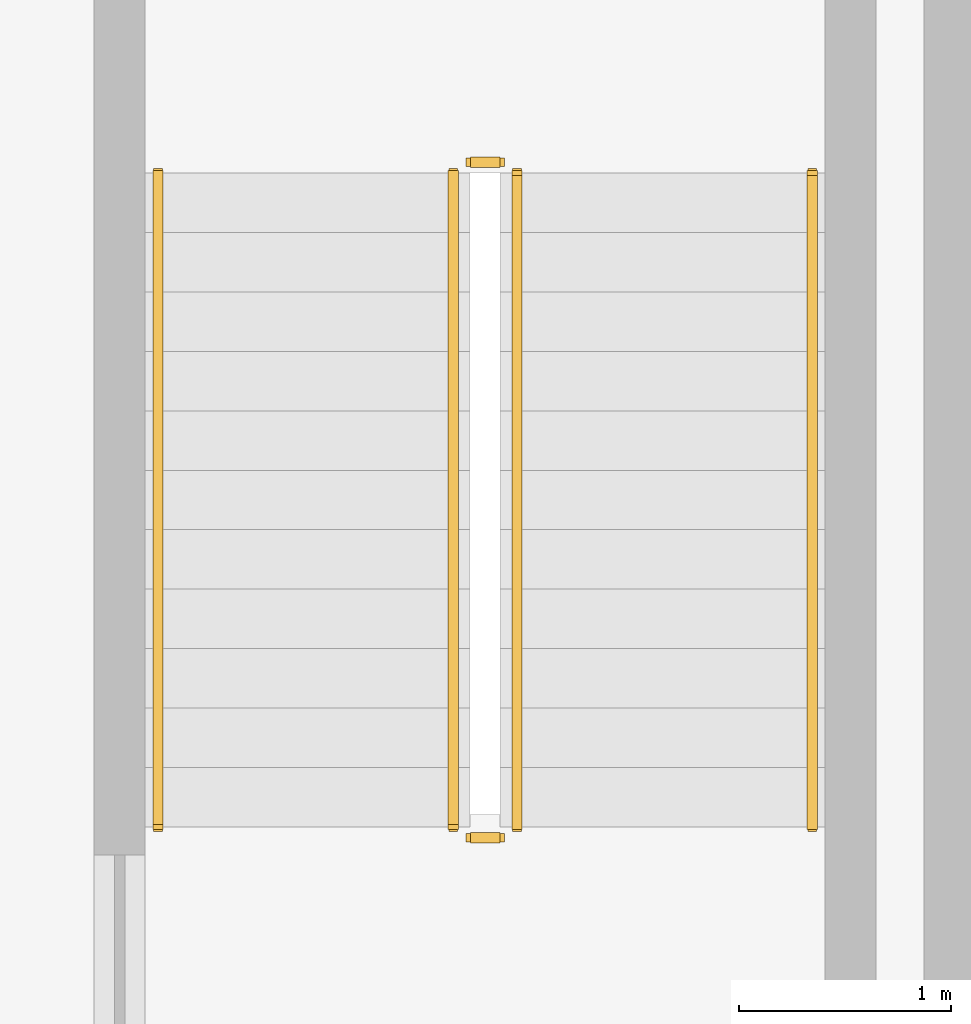
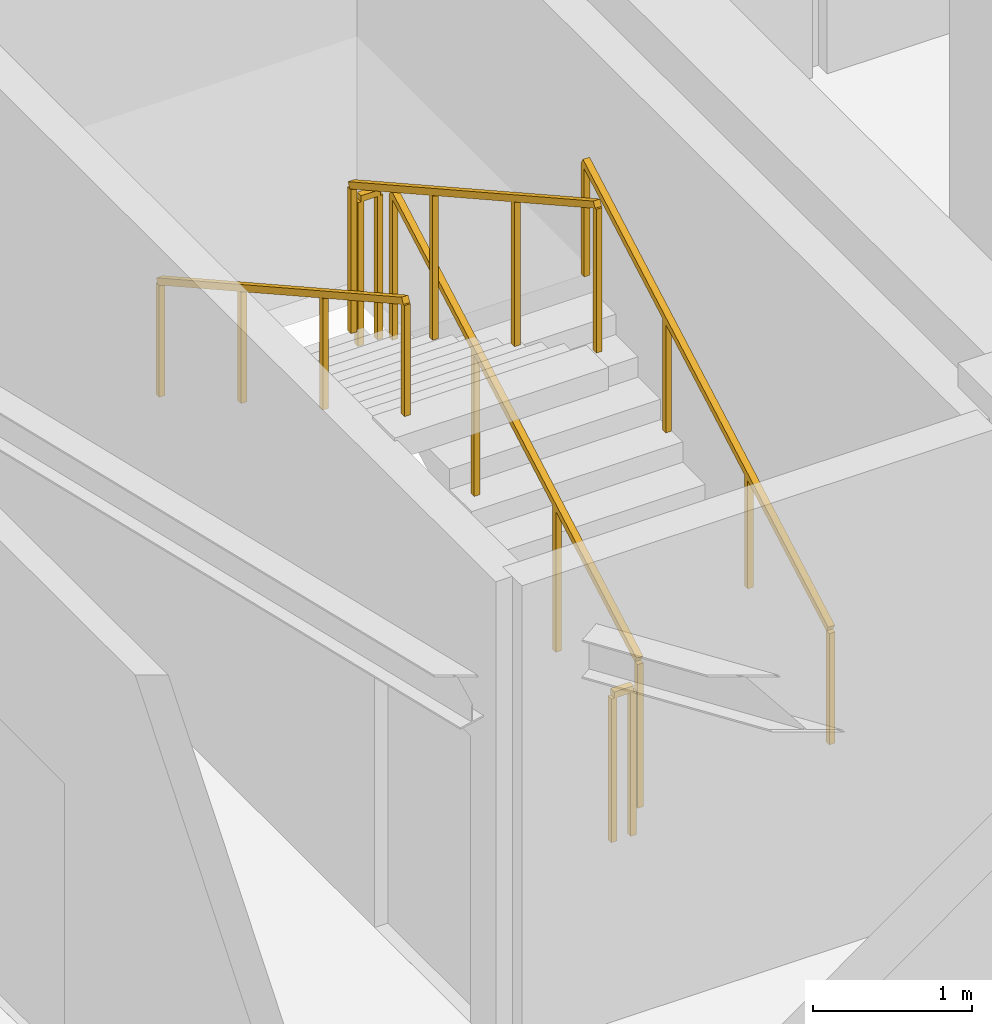
# One storey, part 8 of 10: 6 railings.
"""IFC4 building model written with IfcOpenShell, lengths in metres."""

from ifc_helpers import new_model, si_unit, direction, frame, origin, origin_2d, place, context, subcontext, project, spatial, rectangle, extrude, material, type_object, element, save


model = new_model("IFC4")

# Units and contexts
model_context = context("Model", 3, precision=1e-05, world=origin(), true_north=direction((0.0, 1.0)))
body_context = subcontext(model_context, "Body", "Model", "MODEL_VIEW")
ifc_project = project(units=[si_unit("LENGTHUNIT", "METRE"), si_unit("AREAUNIT", "SQUARE_METRE"), si_unit("VOLUMEUNIT", "CUBIC_METRE"), si_unit("PLANEANGLEUNIT", "RADIAN"), si_unit("MASSUNIT", "GRAM", prefix="KILO")], contexts=[model_context])

# Site, building, storey
site_placement = place(None, origin())
site = spatial("IfcSite", under=ifc_project, at=site_placement, CompositionType="ELEMENT")
building_placement = place(site_placement, origin())
building = spatial("IfcBuilding", under=site, at=building_placement, Name="Liaohun Quay Tower", CompositionType="ELEMENT")
storey_placement = place(building_placement, frame((0.0, 0.0, 286.5)))
storey = spatial("IfcBuildingStorey", under=building, at=storey_placement, Name="L74", CompositionType="ELEMENT", Elevation=286.5)

# Railings
ifc_material_1 = material(Name="Painted tubular steel", Category="steel")
railing_type_1 = type_object("IfcRailingType", Name="RLG-GUARD-STR", PredefinedType="GUARDRAIL", material=ifc_material_1)
railing_1_placement = place(storey_placement, frame((48.81005859375, 48.35009765625, 0.15625)))
element("IfcRailing", 1, at=railing_1_placement, inside=storey, type_object=railing_type_1, Name="L74 ST-1 stair guard 1", PredefinedType="GUARDRAIL", context=body_context, shape_type="SweptSolid", body=[
    extrude(rectangle(XDim=0.048095703125, YDim=0.048095703125, at=origin_2d()), frame((0.0, 0.0, 1.1259765625), z_axis=(0.0, 0.873225103656, 0.487317061414), x_axis=(-1.0, 0.0, 0.0)), (0.0, 0.0, 1.0), 3.52685546875),
    extrude(rectangle(XDim=0.0419921875, YDim=0.0419921875, at=origin_2d()), origin(), (0.0, 0.0, 1.0), 1.101806640625),
    extrude(rectangle(XDim=0.0419921875, YDim=0.0419921875, at=origin_2d()), frame((0.0, 1.026611328125, 0.572998046875)), (0.0, 0.0, 1.0), 1.101806640625),
    extrude(rectangle(XDim=0.0419921875, YDim=0.0419921875, at=origin_2d()), frame((0.0, 2.05322265625, 1.145751953125)), (0.0, 0.0, 1.0), 1.101806640625),
    extrude(rectangle(XDim=0.0419921875, YDim=0.0419921875, at=origin_2d()), frame((0.0, 3.079833984375, 1.71875)), (0.0, 0.0, 1.0), 1.101806640625),
])
railing_2_placement = place(storey_placement, frame((48.72998046875, 51.47998046875, 1.875)))
element("IfcRailing", 2, at=railing_2_placement, inside=storey, type_object=railing_type_1, Name="L74 ST-1 stair guard 2", PredefinedType="GUARDRAIL", context=body_context, shape_type="SweptSolid", body=[
    extrude(rectangle(XDim=0.048095703125, YDim=0.048095703125, at=origin_2d()), frame((0.0, 0.0, 1.1259765625), z_axis=(-1.0, 0.0, 0.0), x_axis=(0.0, -1.0, 0.0)), (0.0, 0.0, 1.0), 0.139892578125),
    extrude(rectangle(XDim=0.0419921875, YDim=0.0419921875, at=origin_2d()), origin(), (0.0, 0.0, 1.0), 1.101806640625),
    extrude(rectangle(XDim=0.0419921875, YDim=0.0419921875, at=origin_2d()), frame((-0.139892578125, 0.0, 0.0)), (0.0, 0.0, 1.0), 1.101806640625),
])
railing_3_placement = place(storey_placement, frame((48.510009765625, 51.429931640625, 2.03125)))
element("IfcRailing", 3, at=railing_3_placement, inside=storey, type_object=railing_type_1, Name="L74 ST-1 stair guard 3", PredefinedType="GUARDRAIL", context=body_context, shape_type="SweptSolid", body=[
    extrude(rectangle(XDim=0.048095703125, YDim=0.048095703125, at=origin_2d()), frame((0.0, 0.0, 1.1259765625), z_axis=(0.0, -0.873225103656, 0.487317061414), x_axis=(1.0, 0.0, 0.0)), (0.0, 0.0, 1.0), 3.52685546875),
    extrude(rectangle(XDim=0.0419921875, YDim=0.0419921875, at=origin_2d()), origin(), (0.0, 0.0, 1.0), 1.101806640625),
    extrude(rectangle(XDim=0.0419921875, YDim=0.0419921875, at=origin_2d()), frame((0.0, -1.026611328125, 0.572998046875)), (0.0, 0.0, 1.0), 1.101806640625),
    extrude(rectangle(XDim=0.0419921875, YDim=0.0419921875, at=origin_2d()), frame((0.0, -2.05322265625, 1.145751953125)), (0.0, 0.0, 1.0), 1.101806640625),
    extrude(rectangle(XDim=0.0419921875, YDim=0.0419921875, at=origin_2d()), frame((0.0, -3.079833984375, 1.71875)), (0.0, 0.0, 1.0), 1.101806640625),
])
railing_4_placement = place(storey_placement, frame((48.72998046875, 48.300048828125, 0.0)))
element("IfcRailing", 4, at=railing_4_placement, inside=storey, type_object=railing_type_1, Name="L74 ST-1 stair guard 4", PredefinedType="GUARDRAIL", context=body_context, shape_type="SweptSolid", body=[
    extrude(rectangle(XDim=0.048095703125, YDim=0.048095703125, at=origin_2d()), frame((0.0, 0.0, 1.1259765625), z_axis=(-1.0, 0.0, 0.0), x_axis=(0.0, -1.0, 0.0)), (0.0, 0.0, 1.0), 0.139892578125),
    extrude(rectangle(XDim=0.0419921875, YDim=0.0419921875, at=origin_2d()), origin(), (0.0, 0.0, 1.0), 1.101806640625),
    extrude(rectangle(XDim=0.0419921875, YDim=0.0419921875, at=origin_2d()), frame((-0.139892578125, 0.0, 0.0)), (0.0, 0.0, 1.0), 1.101806640625),
])
ifc_material_2 = material(Name="Brushed stainless steel", Category="steel")
railing_type_2 = type_object("IfcRailingType", Name="RLG-HND-STR", PredefinedType="HANDRAIL", material=ifc_material_2)
railing_5_placement = place(storey_placement, frame((50.199951171875, 48.35009765625, 0.15625)))
element("IfcRailing", 5, at=railing_5_placement, inside=storey, type_object=railing_type_2, Name="L74 ST-1 stair handrail 1", PredefinedType="HANDRAIL", context=body_context, shape_type="SweptSolid", body=[
    extrude(rectangle(XDim=0.048095703125, YDim=0.048095703125, at=origin_2d()), frame((0.0, 0.0, 0.8759765625), z_axis=(0.0, 0.873225103656, 0.487317061414), x_axis=(-1.0, 0.0, 0.0)), (0.0, 0.0, 1.0), 3.52685546875),
    extrude(rectangle(XDim=0.0419921875, YDim=0.0419921875, at=origin_2d()), origin(), (0.0, 0.0, 1.0), 0.851806640625),
    extrude(rectangle(XDim=0.0419921875, YDim=0.0419921875, at=origin_2d()), frame((0.0, 1.026611328125, 0.572998046875)), (0.0, 0.0, 1.0), 0.851806640625),
    extrude(rectangle(XDim=0.0419921875, YDim=0.0419921875, at=origin_2d()), frame((0.0, 2.05322265625, 1.145751953125)), (0.0, 0.0, 1.0), 0.851806640625),
    extrude(rectangle(XDim=0.0419921875, YDim=0.0419921875, at=origin_2d()), frame((0.0, 3.079833984375, 1.71875)), (0.0, 0.0, 1.0), 0.851806640625),
])
railing_6_placement = place(storey_placement, frame((47.1201171875, 51.429931640625, 2.03125)))
element("IfcRailing", 6, at=railing_6_placement, inside=storey, type_object=railing_type_2, Name="L74 ST-1 stair handrail 2", PredefinedType="HANDRAIL", context=body_context, shape_type="SweptSolid", body=[
    extrude(rectangle(XDim=0.048095703125, YDim=0.048095703125, at=origin_2d()), frame((0.0, 0.0, 0.8759765625), z_axis=(0.0, -0.873225103656, 0.487317061414), x_axis=(1.0, 0.0, 0.0)), (0.0, 0.0, 1.0), 3.52685546875),
    extrude(rectangle(XDim=0.0419921875, YDim=0.0419921875, at=origin_2d()), origin(), (0.0, 0.0, 1.0), 0.851806640625),
    extrude(rectangle(XDim=0.0419921875, YDim=0.0419921875, at=origin_2d()), frame((0.0, -1.026611328125, 0.572998046875)), (0.0, 0.0, 1.0), 0.851806640625),
    extrude(rectangle(XDim=0.0419921875, YDim=0.0419921875, at=origin_2d()), frame((0.0, -2.05322265625, 1.145751953125)), (0.0, 0.0, 1.0), 0.851806640625),
    extrude(rectangle(XDim=0.0419921875, YDim=0.0419921875, at=origin_2d()), frame((0.0, -3.079833984375, 1.71875)), (0.0, 0.0, 1.0), 0.851806640625),
])

save(model, "model.ifc")
